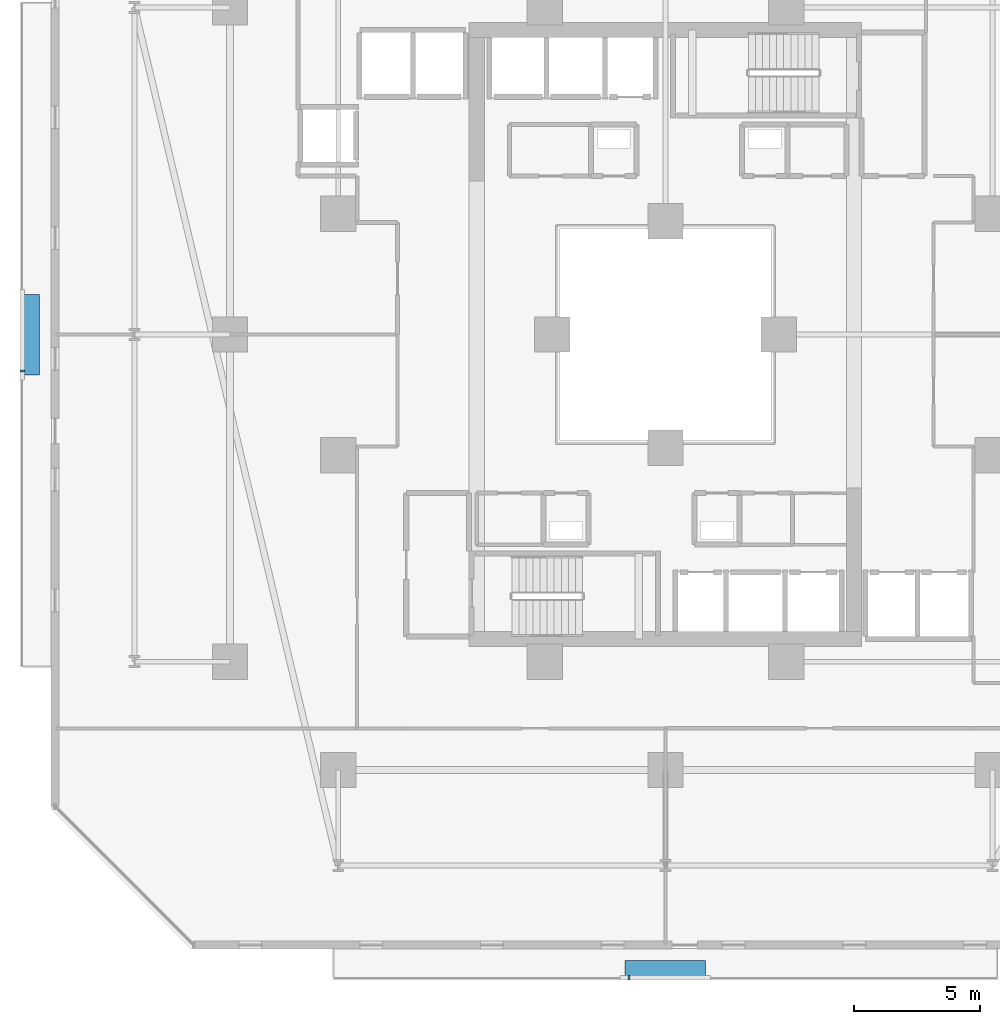
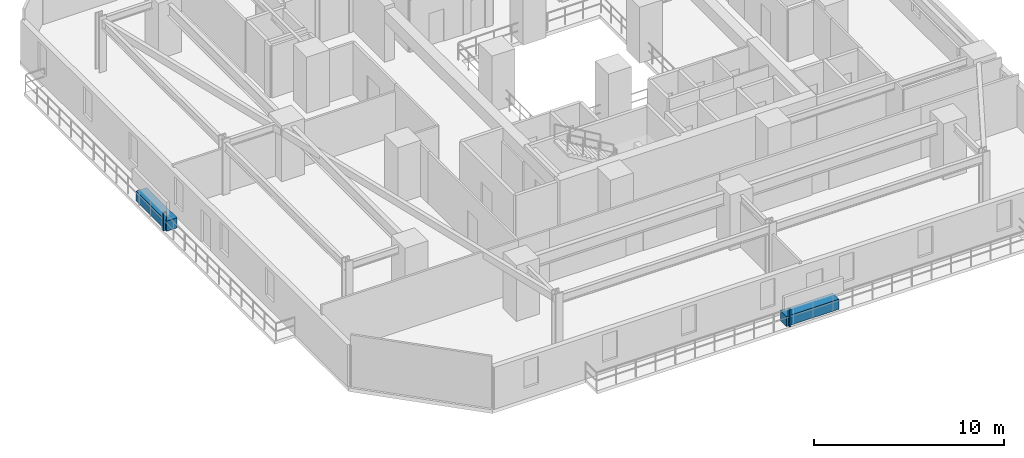
# One storey, part 27 of 33: 4 discrete accessories.
"""IFC4 building model written with IfcOpenShell, lengths in metres."""

from ifc_helpers import new_model, si_unit, direction, frame, origin, origin_2d, place, context, subcontext, project, spatial, rectangle, extrude, material, type_object, element, save


model = new_model("IFC4")

# Units and contexts
model_context = context("Model", 3, precision=1e-05, world=origin(), true_north=direction((0.0, 1.0)))
body_context = subcontext(model_context, "Body", "Model", "MODEL_VIEW")
ifc_project = project(units=[si_unit("LENGTHUNIT", "METRE"), si_unit("AREAUNIT", "SQUARE_METRE"), si_unit("VOLUMEUNIT", "CUBIC_METRE"), si_unit("PLANEANGLEUNIT", "RADIAN"), si_unit("MASSUNIT", "GRAM", prefix="KILO")], contexts=[model_context])

# Site, building, storey
site_placement = place(None, origin())
site = spatial("IfcSite", under=ifc_project, at=site_placement, CompositionType="ELEMENT")
building_placement = place(site_placement, origin())
building = spatial("IfcBuilding", under=site, at=building_placement, Name="Thornwick Lancets Civic Towers", CompositionType="ELEMENT")
storey_placement = place(building_placement, frame((0.0, 0.0, 35.10009765625)))
storey = spatial("IfcBuildingStorey", under=building, at=storey_placement, Name="L08", CompositionType="ELEMENT", Elevation=35.10009765625)

# Discrete accessories
ifc_material_1 = material(Name="Planted terracotta greenery planter", Category="masonry")
discrete_accessory_type_1 = type_object("IfcDiscreteAccessoryType", Name="ACC_PLANTER_BOX", PredefinedType="USERDEFINED", material=ifc_material_1)
discrete_accessory_1_placement = place(storey_placement, frame((25.5, 1.800048828125, 0.0), z_axis=(0.0, 0.0, 1.0), x_axis=(1.0, 0.0, 0.0)))
element("IfcDiscreteAccessory", 1, at=discrete_accessory_1_placement, inside=storey, type_object=discrete_accessory_type_1, Name="L08 Tower A Balcony Greenery Planter S", ObjectType="PLANTER", PredefinedType="USERDEFINED", context=body_context, shape_type="SweptSolid", body=[
    extrude(rectangle(XDim=3.199951171875, YDim=0.64990234375, at=origin_2d()), origin(), (0.0, 0.0, 1.0), 0.64990234375),
])
discrete_accessory_2_placement = place(storey_placement, frame((0.300048828125, 27.0, 0.0), z_axis=(0.0, 0.0, 1.0), x_axis=(1.0, 0.0, 0.0)))
element("IfcDiscreteAccessory", 2, at=discrete_accessory_2_placement, inside=storey, type_object=discrete_accessory_type_1, Name="L08 Tower A Balcony Greenery Planter W", ObjectType="PLANTER", PredefinedType="USERDEFINED", context=body_context, shape_type="SweptSolid", body=[
    extrude(rectangle(XDim=0.64990234375, YDim=3.199951171875, at=origin_2d()), origin(), (0.0, 0.0, 1.0), 0.64990234375),
])
ifc_material_2 = material(Name="Stainless steel S355", Category="steel")
discrete_accessory_type_2 = type_object("IfcDiscreteAccessoryType", Name="ACC_SCREEN_BRACKET", PredefinedType="BRACKET", material=ifc_material_2)
for number, where, z_axis, x_axis, name in (
    (3, (24.050048828125, 1.43994140625, 0.0), (0.0, 0.0, 1.0), (1.0, 0.0, 0.0), "L08 Tower A Balcony Screen Stanchion Bracket S-1"),
    (4, (-0.06005859375, 25.550048828125, 0.0), (0.0, 0.0, 1.0), (0.0, 1.0, 0.0), "L08 Tower A Balcony Screen Stanchion Bracket W-1"),
):
    element("IfcDiscreteAccessory", number, at=place(storey_placement, frame(where, z_axis=z_axis, x_axis=x_axis)), inside=storey, type_object=discrete_accessory_type_2, Name=name, PredefinedType="BRACKET", context=body_context, shape_type="SweptSolid", body=[
        extrude(rectangle(XDim=0.080078125, YDim=0.179931640625, at=origin_2d()), origin(), (0.0, 0.0, 1.0), 1.14990234375),
    ])

save(model, "model.ifc")
